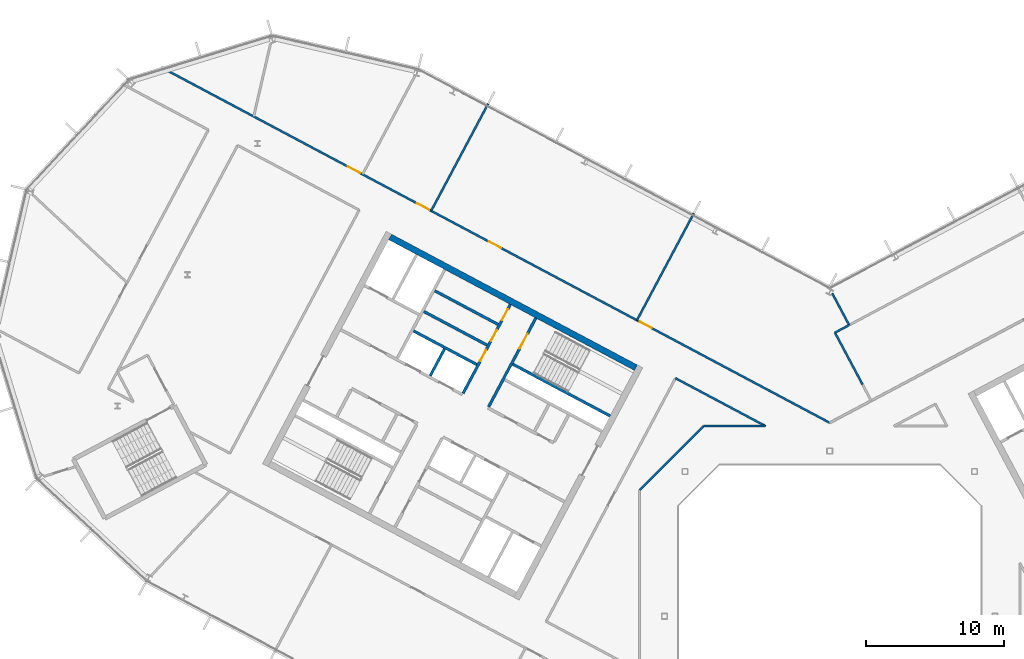
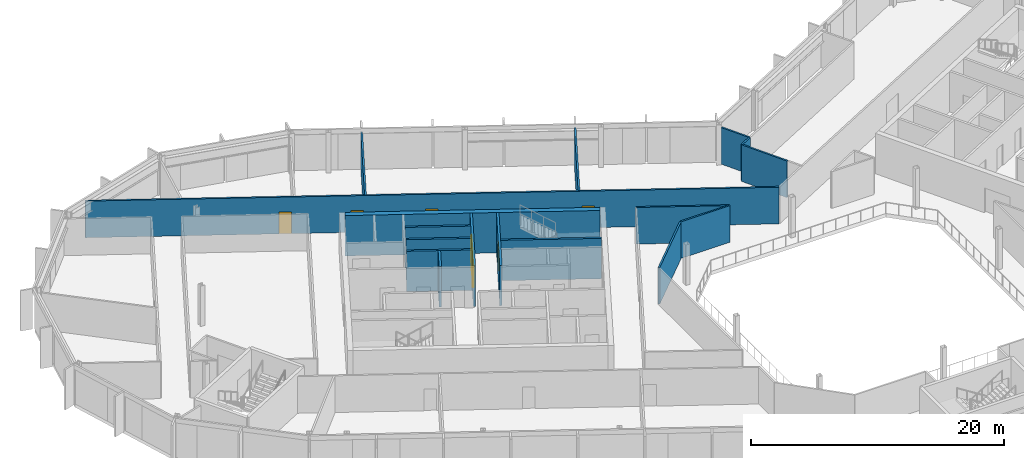
# One storey, part 15 of 26: 17 walls, 8 doors, 8 openings.
"""IFC4 building model written with IfcOpenShell, lengths in metres."""

from ifc_helpers import new_model, si_unit, direction, frame, frame_2d, origin, place, context, subcontext, project, spatial, rectangle, extrude, material, layer, layer_set, type_object, element, fill, save


model = new_model("IFC4")

# Units and contexts
model_context = context("Model", 3, precision=1e-05, world=origin(), true_north=direction((0.0, 1.0)))
body_context = subcontext(model_context, "Body", "Model", "MODEL_VIEW")
ifc_project = project(units=[si_unit("LENGTHUNIT", "METRE"), si_unit("AREAUNIT", "SQUARE_METRE"), si_unit("VOLUMEUNIT", "CUBIC_METRE"), si_unit("PLANEANGLEUNIT", "RADIAN"), si_unit("MASSUNIT", "GRAM", prefix="KILO")], contexts=[model_context])

# Site, building, storey
site_placement = place(None, origin())
site = spatial("IfcSite", under=ifc_project, at=site_placement, CompositionType="ELEMENT")
building_placement = place(site_placement, origin())
building = spatial("IfcBuilding", under=site, at=building_placement, Name="Cormorant Relay Tower", CompositionType="ELEMENT")
storey_placement = place(building_placement, frame((0.0, 0.0, 300.89990234375)))
storey = spatial("IfcBuildingStorey", under=building, at=storey_placement, Name="L68", CompositionType="ELEMENT", Elevation=300.89990234375)

# Walls
ifc_material_1 = material(Name="Concrete 40 MPa", Category="concrete")
ifc_layer_1 = layer(ifc_material_1, 0.199951171875)
ifc_layer_set_1 = layer_set([ifc_layer_1], Name="Core internal wall 200")
wall_type_1 = type_object("IfcWallType", Name="Core internal wall 200", PredefinedType="SOLIDWALL", material=ifc_layer_set_1)
wall_1_placement = place(storey_placement, frame((-27.9658203125, 19.39990234375, 0.0), z_axis=(0.0, 0.0, 1.0), x_axis=(-0.4694473164, -0.882960484464, 0.0)))
element("IfcWall", 1, at=wall_1_placement, inside=storey, type_object=wall_type_1, Name="L68 core A shaft and room wall", PredefinedType="SOLIDWALL", context=body_context, shape_type="SweptSolid", body=[
    extrude(rectangle(XDim=2.199951171875, YDim=0.199951171875, at=frame_2d((1.10009765625, 0.0))), origin(), (0.0, 0.0, 1.0), 3.900146484375),
])
for number, where, z_axis, x_axis, name in (
    (2, (-24.073974609375, 21.181396484375, 0.0), (0.0, 0.0, 1.0), (-0.882953967957, 0.469459572775, 0.0), "L68 core A shaft and room wall"),
    (3, (-24.8720703125, 19.680419921875, 0.0), (0.0, 0.0, 1.0), (-0.882953967957, 0.469459572775, 0.0), "L68 core A shaft and room wall"),
):
    element("IfcWall", number, at=place(storey_placement, frame(where, z_axis=z_axis, x_axis=x_axis)), inside=storey, type_object=wall_type_1, Name=name, PredefinedType="SOLIDWALL", context=body_context, shape_type="SweptSolid", body=[
        extrude(rectangle(XDim=5.199951171875, YDim=0.199951171875, at=frame_2d((2.60009765625, 0.0))), origin(), (0.0, 0.0, 1.0), 3.900146484375),
    ])

# Wall, opening, door
ifc_material_2 = material(Name="Concrete 50 MPa", Category="concrete")
ifc_layer_2 = layer(ifc_material_2, 0.199951171875)
ifc_layer_set_2 = layer_set([ifc_layer_2], Name="Core shaft wall 200")
wall_type_2 = type_object("IfcWallType", Name="Core shaft wall 200", PredefinedType="SHEAR", material=ifc_layer_set_2)
wall_2_placement = place(storey_placement, frame((-21.333251953125, 21.6494140625, 0.0), z_axis=(0.0, 0.0, 1.0), x_axis=(-0.469494272526, -0.882935517501, 0.0)))
wall_2 = element("IfcWall", 4, at=wall_2_placement, inside=storey, type_object=wall_type_2, Name="L68 core A shaft wall", PredefinedType="SHEAR", context=body_context, shape_type="SweptSolid", body=[
    extrude(rectangle(XDim=7.2998046875, YDim=0.199951171875, at=frame_2d((3.64990234375, 0.0))), origin(), (0.0, 0.0, 1.0), 3.900146484375),
])
opening_1_placement = place(wall_2_placement, frame((1.300048828125, 0.0, 0.0)))
opening_1 = element("IfcOpeningElement", 5, at=opening_1_placement, cuts=wall_2, Name="Opening CDB-038", PredefinedType="OPENING", context=body_context, shape_type="SweptSolid", body=[
    extrude(rectangle(XDim=1.199951171875, YDim=2.10009765625, at=frame_2d((0.60009765625, 1.050048828125))), frame((0.0, 0.10986328125, 0.0), z_axis=(0.0, -1.0, 0.0), x_axis=(1.0, 0.0, 0.0)), (0.0, 0.0, 1.0), 0.219970703125),
])
ifc_material_3 = material(Name="Steel fire door", Category="steel")
door_type_1 = type_object("IfcDoorType", Name="Core stair door 1200x2100", OperationType="SINGLE_SWING_LEFT", PredefinedType="DOOR", material=ifc_material_3)
door_1_placement = place(opening_1_placement, origin())
door_1 = element("IfcDoor", 6, at=door_1_placement, inside=storey, type_object=door_type_1, Name="Core stair door 1200x2100", OperationType="SINGLE_SWING_RIGHT", OverallHeight=2.10009765625, OverallWidth=1.199951171875, PredefinedType="DOOR", context=body_context, shape_type="SweptSolid", body=[
    extrude(rectangle(XDim=1.199951171875, YDim=2.10009765625, at=frame_2d((0.60009765625, 1.050048828125))), frame((0.0, 0.02490234375, 0.0), z_axis=(0.0, -1.0, 0.0), x_axis=(1.0, 0.0, 0.0)), (0.0, 0.0, 1.0), 0.050048828125),
])
fill(opening_1, door_1)

# Wall, openings, doors
wall_3_placement = place(storey_placement, frame((-23.1875, 22.635498046875, 0.0), z_axis=(0.0, 0.0, 1.0), x_axis=(-0.469454336211, -0.882956752176, 0.0)))
wall_3 = element("IfcWall", 7, at=wall_3_placement, inside=storey, type_object=wall_type_2, Name="L68 core A shaft wall", PredefinedType="SHEAR", context=body_context, shape_type="SweptSolid", body=[
    extrude(rectangle(XDim=7.300048828125, YDim=0.199951171875, at=frame_2d((3.64990234375, 0.0))), origin(), (0.0, 0.0, 1.0), 3.900146484375),
])
opening_2_placement = place(wall_3_placement, frame((0.39990234375, 0.0, 0.0)))
opening_2 = element("IfcOpeningElement", 8, at=opening_2_placement, cuts=wall_3, Name="Opening CDD-340", PredefinedType="OPENING", context=body_context, shape_type="SweptSolid", body=[
    extrude(rectangle(XDim=0.89990234375, YDim=2.10009765625, at=frame_2d((0.449951171875, 1.050048828125))), frame((0.0, 0.10986328125, 0.0), z_axis=(0.0, -1.0, 0.0), x_axis=(1.0, 0.0, 0.0)), (0.0, 0.0, 1.0), 0.219970703125),
])
opening_3_placement = place(wall_3_placement, frame((2.10009765625, 0.0, 0.0)))
opening_3 = element("IfcOpeningElement", 9, at=opening_3_placement, cuts=wall_3, Name="Opening CDD-341", PredefinedType="OPENING", context=body_context, shape_type="SweptSolid", body=[
    extrude(rectangle(XDim=0.89990234375, YDim=2.10009765625, at=frame_2d((0.449951171875, 1.050048828125))), frame((0.0, 0.10986328125, 0.0), z_axis=(0.0, -1.0, 0.0), x_axis=(1.0, 0.0, 0.0)), (0.0, 0.0, 1.0), 0.219970703125),
])
opening_4_placement = place(wall_3_placement, frame((3.75, 0.0, 0.0)))
opening_4 = element("IfcOpeningElement", 10, at=opening_4_placement, cuts=wall_3, Name="Opening CDD-240", PredefinedType="OPENING", context=body_context, shape_type="SweptSolid", body=[
    extrude(rectangle(XDim=0.89990234375, YDim=2.10009765625, at=frame_2d((0.449951171875, 1.050048828125))), frame((0.0, 0.10986328125, 0.0), z_axis=(0.0, -1.0, 0.0), x_axis=(1.0, 0.0, 0.0)), (0.0, 0.0, 1.0), 0.219970703125),
])
ifc_material_4 = material(Name="Steel fire door", Category="steel")
door_type_2 = type_object("IfcDoorType", Name="Core room door 900x2100", OperationType="SINGLE_SWING_LEFT", PredefinedType="DOOR", material=ifc_material_4)
door_2_placement = place(opening_2_placement, frame((0.89990234375, 0.0, 0.0), z_axis=(0.0, 0.0, 1.0), x_axis=(-1.0, 0.0, 0.0)))
door_2 = element("IfcDoor", 11, at=door_2_placement, inside=storey, type_object=door_type_2, Name="Core room door 900x2100", OperationType="SINGLE_SWING_LEFT", OverallHeight=2.10009765625, OverallWidth=0.89990234375, PredefinedType="DOOR", context=body_context, shape_type="SweptSolid", body=[
    extrude(rectangle(XDim=0.89990234375, YDim=2.10009765625, at=frame_2d((0.449951171875, 1.050048828125))), frame((0.0, 0.02490234375, 0.0), z_axis=(0.0, -1.0, 0.0), x_axis=(1.0, 0.0, 0.0)), (0.0, 0.0, 1.0), 0.050048828125),
])
fill(opening_2, door_2)
door_3_placement = place(opening_3_placement, frame((0.89990234375, 0.0, 0.0), z_axis=(0.0, 0.0, 1.0), x_axis=(-1.0, 0.0, 0.0)))
door_3 = element("IfcDoor", 12, at=door_3_placement, inside=storey, type_object=door_type_2, Name="Core room door 900x2100", OperationType="SINGLE_SWING_RIGHT", OverallHeight=2.10009765625, OverallWidth=0.89990234375, PredefinedType="DOOR", context=body_context, shape_type="SweptSolid", body=[
    extrude(rectangle(XDim=0.89990234375, YDim=2.10009765625, at=frame_2d((0.449951171875, 1.050048828125))), frame((0.0, 0.02490234375, 0.0), z_axis=(0.0, -1.0, 0.0), x_axis=(1.0, 0.0, 0.0)), (0.0, 0.0, 1.0), 0.050048828125),
])
fill(opening_3, door_3)
door_4_placement = place(opening_4_placement, frame((0.89990234375, 0.0, 0.0), z_axis=(0.0, 0.0, 1.0), x_axis=(-1.0, 0.0, 0.0)))
door_4 = element("IfcDoor", 13, at=door_4_placement, inside=storey, type_object=door_type_2, Name="Core room door 900x2100", OperationType="SINGLE_SWING_RIGHT", OverallHeight=2.10009765625, OverallWidth=0.89990234375, PredefinedType="DOOR", context=body_context, shape_type="SweptSolid", body=[
    extrude(rectangle(XDim=0.89990234375, YDim=2.10009765625, at=frame_2d((0.449951171875, 1.050048828125))), frame((0.0, 0.02490234375, 0.0), z_axis=(0.0, -1.0, 0.0), x_axis=(1.0, 0.0, 0.0)), (0.0, 0.0, 1.0), 0.050048828125),
])
fill(opening_4, door_4)

# Walls
wall_4_placement = place(storey_placement, frame((-15.94189453125, 14.53564453125, 0.0), z_axis=(0.0, 0.0, 1.0), x_axis=(-0.882946947542, 0.469472776449, 0.0)))
element("IfcWall", 14, at=wall_4_placement, inside=storey, type_object=wall_type_2, Name="L68 core A shaft wall", PredefinedType="SHEAR", context=body_context, shape_type="SweptSolid", body=[
    extrude(rectangle(XDim=8.000244140625, YDim=0.199951171875, at=frame_2d((4.0, 0.0))), origin(), (0.0, 0.0, 1.0), 3.900146484375),
])
wall_5_placement = place(storey_placement, frame((-25.623046875, 18.267578125, 0.0), z_axis=(0.0, 0.0, 1.0), x_axis=(-0.882953967957, 0.469459572775, 0.0)))
element("IfcWall", 15, at=wall_5_placement, inside=storey, type_object=wall_type_2, Name="L68 core A shaft wall", PredefinedType="SHEAR", context=body_context, shape_type="SweptSolid", body=[
    extrude(rectangle(XDim=5.199951171875, YDim=0.199951171875, at=frame_2d((2.60009765625, 0.0))), origin(), (0.0, 0.0, 1.0), 3.900146484375),
])
ifc_material_5 = material(Name="Concrete 50 MPa", Category="concrete")
ifc_layer_3 = layer(ifc_material_5, 0.449951171875)
ifc_layer_set_3 = layer_set([ifc_layer_3], Name="Core wall 450")
wall_type_3 = type_object("IfcWallType", Name="Core wall 450", PredefinedType="SHEAR", material=ifc_layer_set_3)
wall_6_placement = place(storey_placement, frame((-14.07568359375, 18.04541015625, 0.0), z_axis=(0.0, 0.0, 1.0), x_axis=(-0.882947755831, 0.46947125628, 0.0)))
element("IfcWall", 16, at=wall_6_placement, inside=storey, type_object=wall_type_3, Name="L68 core A wall", PredefinedType="SHEAR", context=body_context, shape_type="SweptSolid", body=[
    extrude(rectangle(XDim=20.2001953125, YDim=0.449951171875, at=frame_2d((10.10009765625, 0.0))), origin(), (0.0, 0.0, 1.0), 3.900146484375),
])

# Wall, openings, doors
ifc_material_6 = material(Name="Gypsum board fire partition")
ifc_layer_4 = layer(ifc_material_6, 0.14990234375)
ifc_layer_set_4 = layer_set([ifc_layer_4], Name="Corridor partition 150 EI 60")
wall_type_4 = type_object("IfcWallType", Name="Corridor partition 150 EI 60", PredefinedType="PARTITIONING", material=ifc_layer_set_4)
wall_7_placement = place(storey_placement, frame((-48.541015625, 39.85400390625, 0.0), z_axis=(0.0, 0.0, 1.0), x_axis=(0.882945008423, -0.469476423372, 0.0)))
wall_7 = element("IfcWall", 17, at=wall_7_placement, inside=storey, type_object=wall_type_4, Name="wall/L68/part/008", PredefinedType="PARTITIONING", context=body_context, shape_type="SweptSolid", body=[
    extrude(rectangle(XDim=54.976318359375, YDim=0.14990234375, at=frame_2d((27.48828125, 0.0))), origin(), (0.0, 0.0, 1.0), 3.5400390625),
])
opening_5_placement = place(wall_7_placement, frame((39.35009765625, 0.0, 0.0)))
opening_5 = element("IfcOpeningElement", 18, at=opening_5_placement, cuts=wall_7, Name="Opening DS-240", PredefinedType="OPENING", context=body_context, shape_type="SweptSolid", body=[
    extrude(rectangle(XDim=1.0, YDim=2.10009765625, at=frame_2d((0.5, 1.050048828125))), frame((0.0, 0.0849609375, 0.0), z_axis=(0.0, -1.0, 0.0), x_axis=(1.0, 0.0, 0.0)), (0.0, 0.0, 1.0), 0.169921875),
])
opening_6_placement = place(wall_7_placement, frame((26.949951171875, 0.0, 0.0)))
opening_6 = element("IfcOpeningElement", 19, at=opening_6_placement, cuts=wall_7, Name="Opening DS-241", PredefinedType="OPENING", context=body_context, shape_type="SweptSolid", body=[
    extrude(rectangle(XDim=1.0, YDim=2.10009765625, at=frame_2d((0.5, 1.050048828125))), frame((0.0, 0.0849609375, 0.0), z_axis=(0.0, -1.0, 0.0), x_axis=(1.0, 0.0, 0.0)), (0.0, 0.0, 1.0), 0.169921875),
])
opening_7_placement = place(wall_7_placement, frame((21.049072265625, 0.0, 0.0)))
opening_7 = element("IfcOpeningElement", 20, at=opening_7_placement, cuts=wall_7, Name="Opening DS-242", PredefinedType="OPENING", context=body_context, shape_type="SweptSolid", body=[
    extrude(rectangle(XDim=1.0, YDim=2.10009765625, at=frame_2d((0.5, 1.050048828125))), frame((0.0, 0.0849609375, 0.0), z_axis=(0.0, -1.0, 0.0), x_axis=(1.0, 0.0, 0.0)), (0.0, 0.0, 1.0), 0.169921875),
])
opening_8_placement = place(wall_7_placement, frame((15.35009765625, 0.0, 0.0)))
opening_8 = element("IfcOpeningElement", 21, at=opening_8_placement, cuts=wall_7, Name="Opening DS-120", PredefinedType="OPENING", context=body_context, shape_type="SweptSolid", body=[
    extrude(rectangle(XDim=1.0, YDim=2.10009765625, at=frame_2d((0.5, 1.050048828125))), frame((0.0, 0.0849609375, 0.0), z_axis=(0.0, -1.0, 0.0), x_axis=(1.0, 0.0, 0.0)), (0.0, 0.0, 1.0), 0.169921875),
])
ifc_material_7 = material(Name="Timber door leaf", Category="wood")
door_type_3 = type_object("IfcDoorType", Name="Suite door 1000x2100", OperationType="SINGLE_SWING_LEFT", PredefinedType="DOOR", material=ifc_material_7)
door_5_placement = place(opening_5_placement, frame((1.0, 0.0, 0.0), z_axis=(0.0, 0.0, 1.0), x_axis=(-1.0, 0.0, 0.0)))
door_5 = element("IfcDoor", 22, at=door_5_placement, inside=storey, type_object=door_type_3, Name="door/L68/013", OperationType="SINGLE_SWING_LEFT", OverallHeight=2.10009765625, OverallWidth=1.0, PredefinedType="DOOR", context=body_context, shape_type="SweptSolid", body=[
    extrude(rectangle(XDim=1.0, YDim=2.10009765625, at=frame_2d((0.5, 1.050048828125))), frame((0.0, 0.02490234375, 0.0), z_axis=(0.0, -1.0, 0.0), x_axis=(1.0, 0.0, 0.0)), (0.0, 0.0, 1.0), 0.050048828125),
])
fill(opening_5, door_5)
door_6_placement = place(opening_6_placement, frame((1.0, 0.0, 0.0), z_axis=(0.0, 0.0, 1.0), x_axis=(-1.0, 0.0, 0.0)))
door_6 = element("IfcDoor", 23, at=door_6_placement, inside=storey, type_object=door_type_3, Name="door/L68/014", OperationType="SINGLE_SWING_LEFT", OverallHeight=2.10009765625, OverallWidth=1.0, PredefinedType="DOOR", context=body_context, shape_type="SweptSolid", body=[
    extrude(rectangle(XDim=1.0, YDim=2.10009765625, at=frame_2d((0.5, 1.050048828125))), frame((0.0, 0.02490234375, 0.0), z_axis=(0.0, -1.0, 0.0), x_axis=(1.0, 0.0, 0.0)), (0.0, 0.0, 1.0), 0.050048828125),
])
fill(opening_6, door_6)
door_7_placement = place(opening_7_placement, frame((1.0, 0.0, 0.0), z_axis=(0.0, 0.0, 1.0), x_axis=(-1.0, 0.0, 0.0)))
door_7 = element("IfcDoor", 24, at=door_7_placement, inside=storey, type_object=door_type_3, Name="door/L68/015", OperationType="SINGLE_SWING_LEFT", OverallHeight=2.10009765625, OverallWidth=1.0, PredefinedType="DOOR", context=body_context, shape_type="SweptSolid", body=[
    extrude(rectangle(XDim=1.0, YDim=2.10009765625, at=frame_2d((0.5, 1.050048828125))), frame((0.0, 0.02490234375, 0.0), z_axis=(0.0, -1.0, 0.0), x_axis=(1.0, 0.0, 0.0)), (0.0, 0.0, 1.0), 0.050048828125),
])
fill(opening_7, door_7)
door_8_placement = place(opening_8_placement, origin())
door_8 = element("IfcDoor", 25, at=door_8_placement, inside=storey, type_object=door_type_3, Name="door/L68/016", OperationType="SINGLE_SWING_RIGHT", OverallHeight=2.10009765625, OverallWidth=1.0, PredefinedType="DOOR", context=body_context, shape_type="SweptSolid", body=[
    extrude(rectangle(XDim=1.0, YDim=2.10009765625, at=frame_2d((0.5, 1.050048828125))), frame((0.0, 0.02490234375, 0.0), z_axis=(0.0, -1.0, 0.0), x_axis=(1.0, 0.0, 0.0)), (0.0, 0.0, 1.0), 0.050048828125),
])
fill(opening_8, door_8)

# Walls
wall_8_placement = place(storey_placement, frame((-11.197998046875, 17.280029296875, 0.0), z_axis=(0.0, 0.0, 1.0), x_axis=(0.88294849999, -0.469469856717, 0.0)))
element("IfcWall", 26, at=wall_8_placement, inside=storey, type_object=wall_type_4, Name="wall/L68/part/047", PredefinedType="PARTITIONING", context=body_context, shape_type="SweptSolid", body=[
    extrude(rectangle(XDim=7.41259765625, YDim=0.14990234375, at=frame_2d((3.706298828125, 0.0))), origin(), (0.0, 0.0, 1.0), 3.5400390625),
])
wall_9_placement = place(storey_placement, frame((-4.653076171875, 13.800048828125, 0.0), z_axis=(0.0, 0.0, 1.0), x_axis=(-1.0, 0.0, 0.0)))
element("IfcWall", 27, at=wall_9_placement, inside=storey, type_object=wall_type_4, Name="wall/L68/part/048", PredefinedType="PARTITIONING", context=body_context, shape_type="SweptSolid", body=[
    extrude(rectangle(XDim=4.5068359375, YDim=0.14990234375, at=frame_2d((2.25341796875, 0.0))), origin(), (0.0, 0.0, 1.0), 3.5400390625),
])
wall_10_placement = place(storey_placement, frame((-9.159912109375, 13.800048828125, 0.0), z_axis=(0.0, 0.0, 1.0), x_axis=(-0.707106781187, -0.707106781187, 0.0)))
element("IfcWall", 28, at=wall_10_placement, inside=storey, type_object=wall_type_4, Name="wall/L68/part/049", PredefinedType="PARTITIONING", context=body_context, shape_type="SweptSolid", body=[
    extrude(rectangle(XDim=6.562255859375, YDim=0.14990234375, at=frame_2d((3.28125, 0.0))), origin(), (0.0, 0.0, 1.0), 3.5400390625),
])
ifc_material_8 = material(Name="Gypsum board partition")
ifc_layer_5 = layer(ifc_material_8, 0.14990234375)
ifc_layer_set_5 = layer_set([ifc_layer_5], Name="Tenant partition 150")
wall_type_5 = type_object("IfcWallType", Name="Tenant partition 150", PredefinedType="PARTITIONING", material=ifc_layer_set_5)
wall_11_placement = place(storey_placement, frame((-24.800048828125, 37.197021484375, 0.0), z_axis=(0.0, 0.0, 1.0), x_axis=(-0.469510830369, -0.882926712794, 0.0)))
element("IfcWall", 29, at=wall_11_placement, inside=storey, type_object=wall_type_5, Name="wall/L68/part/020", PredefinedType="PARTITIONING", context=body_context, shape_type="SweptSolid", body=[
    extrude(rectangle(XDim=8.80029296875, YDim=0.14990234375, at=frame_2d((4.400146484375, 0.0))), origin(), (0.0, 0.0, 1.0), 3.5400390625),
])
wall_12_placement = place(storey_placement, frame((-9.864013671875, 29.2548828125, 0.0), z_axis=(0.0, 0.0, 1.0), x_axis=(-0.469457446168, -0.882955098653, 0.0)))
element("IfcWall", 30, at=wall_12_placement, inside=storey, type_object=wall_type_5, Name="wall/L68/part/021", PredefinedType="PARTITIONING", context=body_context, shape_type="SweptSolid", body=[
    extrude(rectangle(XDim=8.7998046875, YDim=0.14990234375, at=frame_2d((4.39990234375, 0.0))), origin(), (0.0, 0.0, 1.0), 3.5400390625),
])
wall_13_placement = place(storey_placement, frame((0.177978515625, 23.449951171875, 0.0), z_axis=(0.0, 0.0, 1.0), x_axis=(0.469495603372, -0.882934809833, 0.0)))
element("IfcWall", 31, at=wall_13_placement, inside=storey, type_object=wall_type_5, Name="wall/L68/part/028", PredefinedType="PARTITIONING", context=body_context, shape_type="SweptSolid", body=[
    extrude(rectangle(XDim=2.621826171875, YDim=0.14990234375, at=frame_2d((1.31103515625, 0.0))), origin(), (0.0, 0.0, 1.0), 3.5400390625),
])
wall_14_placement = place(storey_placement, frame((2.3798828125, 16.824951171875, 0.0), z_axis=(0.0, 0.0, 1.0), x_axis=(-0.469505616232, 0.882929485478, 0.0)))
element("IfcWall", 32, at=wall_14_placement, inside=storey, type_object=wall_type_5, Name="wall/L68/part/031", PredefinedType="PARTITIONING", context=body_context, shape_type="SweptSolid", body=[
    extrude(rectangle(XDim=4.261962890625, YDim=0.14990234375, at=frame_2d((2.130859375, 0.0))), origin(), (0.0, 0.0, 1.0), 3.5400390625),
])
wall_15_placement = place(storey_placement, frame((1.405029296875, 21.133056640625, 0.0), z_axis=(0.0, 0.0, 1.0), x_axis=(-0.882753784089, -0.469835882704, 0.0)))
element("IfcWall", 33, at=wall_15_placement, inside=storey, type_object=wall_type_5, Name="wall/L68/part/032", PredefinedType="PARTITIONING", context=body_context, shape_type="SweptSolid", body=[
    extrude(rectangle(XDim=1.162353515625, YDim=0.14990234375, at=frame_2d((0.5810546875, 0.0))), origin(), (0.0, 0.0, 1.0), 3.5400390625),
])

save(model, "model.ifc")
